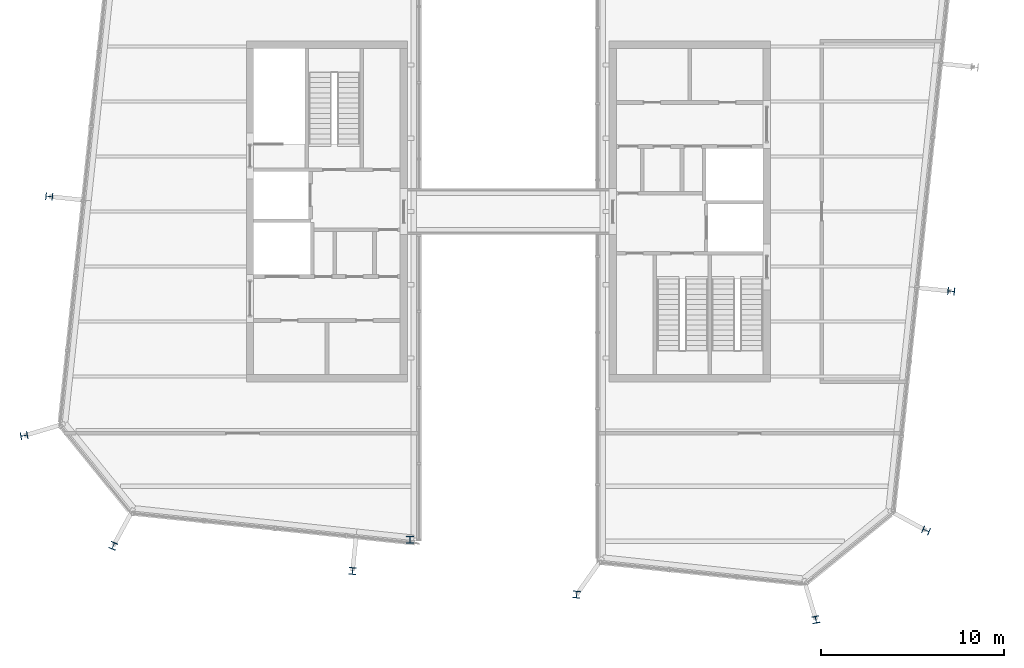
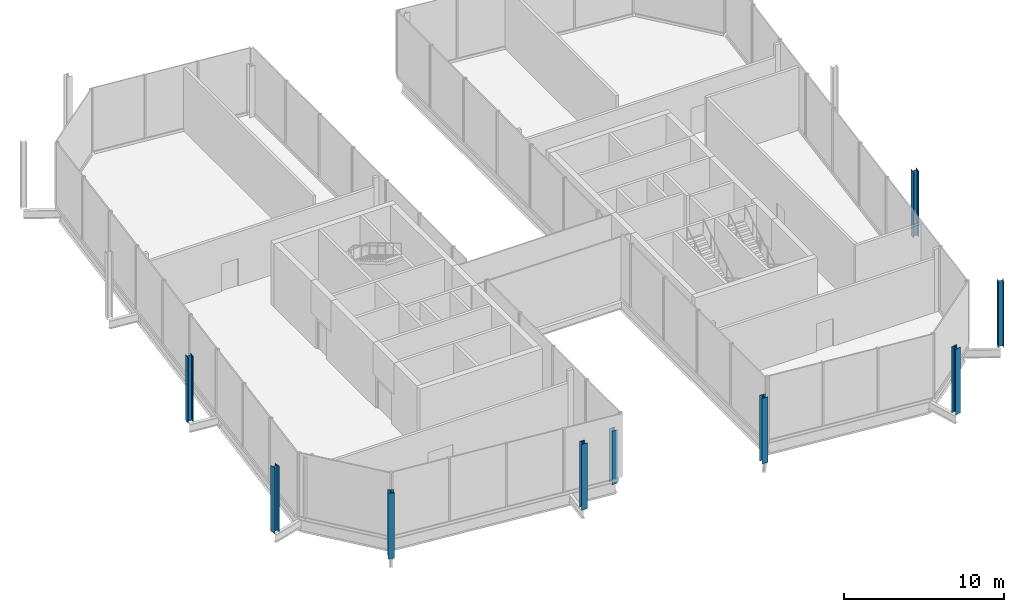
# One storey, part 1 of 12: 9 columns.
"""IFC4 building model written with IfcOpenShell, lengths in metres."""

from ifc_helpers import new_model, si_unit, direction, frame, origin, origin_2d, place, context, subcontext, project, spatial, i_section, extrude, material, material_profile, profile_set, type_object, element, save


model = new_model("IFC4")

# Units and contexts
model_context = context("Model", 3, precision=1e-05, world=origin(), true_north=direction((0.0, 1.0)))
body_context = subcontext(model_context, "Body", "Model", "MODEL_VIEW")
ifc_project = project(units=[si_unit("LENGTHUNIT", "METRE"), si_unit("AREAUNIT", "SQUARE_METRE"), si_unit("VOLUMEUNIT", "CUBIC_METRE"), si_unit("PLANEANGLEUNIT", "RADIAN"), si_unit("MASSUNIT", "GRAM", prefix="KILO")], contexts=[model_context])

# Site, building, storey
site_placement = place(None, origin())
site = spatial("IfcSite", under=ifc_project, at=site_placement, CompositionType="ELEMENT")
building_placement = place(site_placement, origin())
building = spatial("IfcBuilding", under=site, at=building_placement, Name="Millrace Tower", CompositionType="ELEMENT")
storey_placement = place(building_placement, frame((0.0, 0.0, 347.10009765625)))
storey = spatial("IfcBuildingStorey", under=building, at=storey_placement, Name="L80", CompositionType="ELEMENT", Elevation=347.10009765625)

# Columns
ifc_material_1 = material(Name="Steel ASTM A913 Grade 65", Category="steel")
ifc_material_profile_1 = material_profile(ifc_material_1, i_section(OverallWidth=0.396240234375, OverallDepth=0.381103515625, WebThickness=0.018798828125, FlangeThickness=0.0302734375, FilletRadius=0.01513671875, at=origin_2d()))
ifc_profile_set_1 = profile_set([ifc_material_profile_1], Name="Steel ASTM A913 Grade 65")
column_type_1 = type_object("IfcColumnType", Name="Crown corner post W14x159", PredefinedType="COLUMN", material=ifc_profile_set_1)
column_placement = place(storey_placement, frame((-5.369140625, -17.9248046875, -0.2001953125), z_axis=(0.0, 0.0, 1.0), x_axis=(1.0, 0.0, 0.0)))
element("IfcColumn", 1, at=column_placement, inside=storey, type_object=column_type_1, Name="COL-CROWN-L80-SW-P01", PredefinedType="COLUMN", context=body_context, shape_type="SweptSolid", body=[
    extrude(i_section(OverallWidth=0.396240234375, OverallDepth=0.381103515625, WebThickness=0.018798828125, FlangeThickness=0.0302734375, FilletRadius=0.01513671875, at=origin_2d()), origin(), (0.0, 0.0, 1.0), 4.072998046875),
])
ifc_material_2 = material(Name="Steel ASTM A913 Grade 65", Category="steel")
ifc_material_profile_2 = material_profile(ifc_material_2, i_section(OverallWidth=0.393798828125, OverallDepth=0.3759765625, WebThickness=0.017333984375, FlangeThickness=0.027587890625, FilletRadius=0.01513671875, at=origin_2d()))
ifc_profile_set_2 = profile_set([ifc_material_profile_2], Name="Steel ASTM A913 Grade 65")
column_type_2 = type_object("IfcColumnType", Name="Exoskeleton column W14x145", PredefinedType="COLUMN", material=ifc_profile_set_2)
for number, where, z_axis, x_axis, name in (
    (2, (-8.50341796875, -19.62158203125, 0.0), (0.0, 0.0, 1.0), (0.994521897246, -0.104528445407, 0.0), "COL-E-L80-X03"),
    (3, (3.729248046875, -20.9072265625, 0.0), (0.0, 0.0, 1.0), (0.994521897246, -0.104528445407, 0.0), "COL-E-L80-X04"),
    (4, (24.171630859375, -4.353271484375, 0.0), (0.0, 0.0, 1.0), (0.104528445407, 0.994521897246, 0.0), "COL-E-L80-X07"),
    (5, (-25.057373046875, 0.82080078125, 0.0), (0.0, 0.0, 1.0), (-0.104528445407, -0.994521897246, 0.0), "COL-E-L80-X16"),
):
    element("IfcColumn", number, at=place(storey_placement, frame(where, z_axis=z_axis, x_axis=x_axis)), inside=storey, type_object=column_type_2, Name=name, PredefinedType="COLUMN", context=body_context, shape_type="SweptSolid", body=[
        extrude(i_section(OverallWidth=0.393798828125, OverallDepth=0.3759765625, WebThickness=0.017333984375, FlangeThickness=0.027587890625, FilletRadius=0.01513671875, at=origin_2d()), origin(), (0.0, 0.0, 1.0), 5.0),
    ])
ifc_material_3 = material(Name="Steel ASTM A913 Grade 65", Category="steel")
ifc_material_profile_3 = material_profile(ifc_material_3, i_section(OverallWidth=0.396240234375, OverallDepth=0.381103515625, WebThickness=0.018798828125, FlangeThickness=0.0302734375, FilletRadius=0.01513671875, at=origin_2d()))
ifc_profile_set_3 = profile_set([ifc_material_profile_3], Name="Steel ASTM A913 Grade 65")
column_type_3 = type_object("IfcColumnType", Name="Exoskeleton column W14x159", PredefinedType="COLUMN", material=ifc_profile_set_3)
for number, where, z_axis, x_axis, name in (
    (6, (-26.429443359375, -12.23583984375, 0.0), (0.0, 0.0, 1.0), (0.18038747256, -0.983595628164, 0.0), "COL-E-L80-X01"),
    (7, (-21.559814453125, -18.249267578125, 0.0), (0.0, 0.0, 1.0), (0.92459700658, -0.380946683176, 0.0), "COL-E-L80-X02"),
    (8, (16.78564453125, -22.279541015625, 0.0), (0.0, 0.0, 1.0), (0.983595628164, 0.18038747256, 0.0), "COL-E-L80-X05"),
    (9, (22.79931640625, -17.409912109375, 0.0), (0.0, 0.0, 1.0), (0.380946683176, 0.92459700658, 0.0), "COL-E-L80-X06"),
):
    element("IfcColumn", number, at=place(storey_placement, frame(where, z_axis=z_axis, x_axis=x_axis)), inside=storey, type_object=column_type_3, Name=name, PredefinedType="COLUMN", context=body_context, shape_type="SweptSolid", body=[
        extrude(i_section(OverallWidth=0.396240234375, OverallDepth=0.381103515625, WebThickness=0.018798828125, FlangeThickness=0.0302734375, FilletRadius=0.01513671875, at=origin_2d()), origin(), (0.0, 0.0, 1.0), 5.0),
    ])

save(model, "model.ifc")
